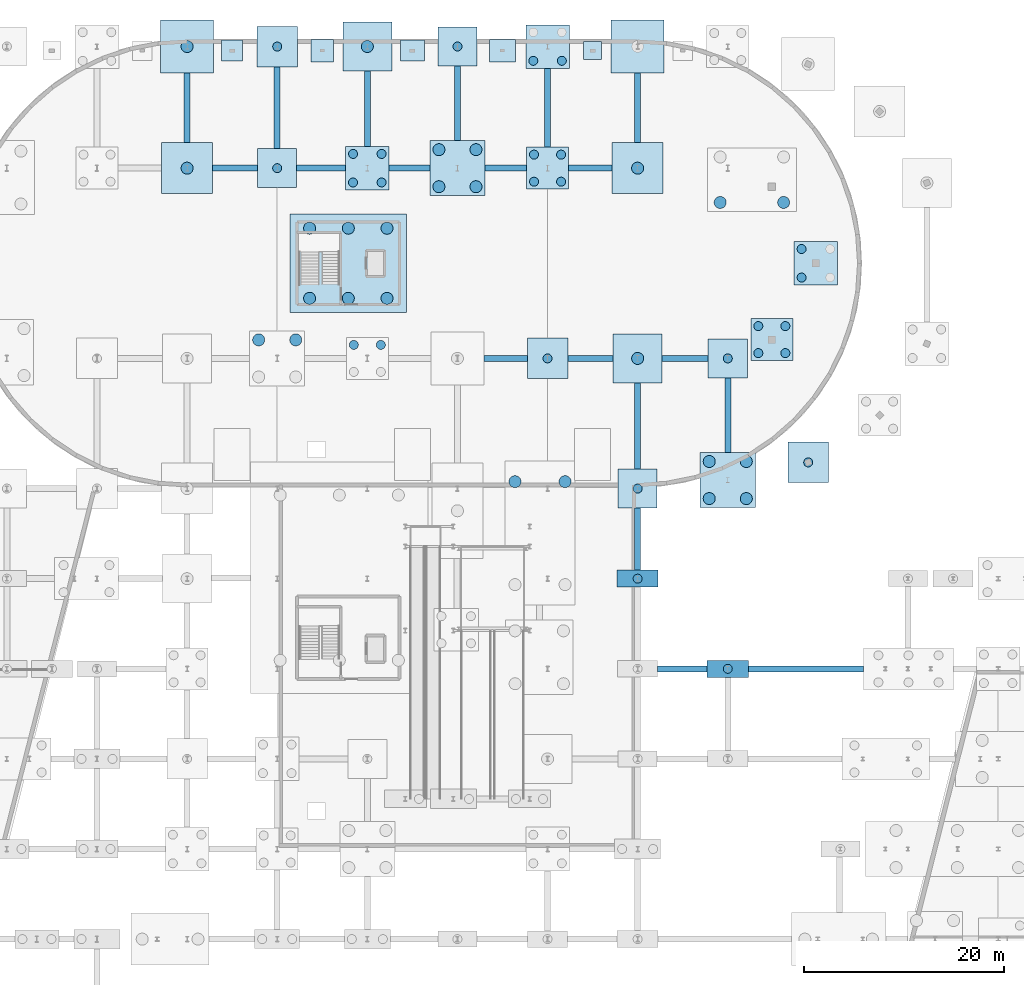
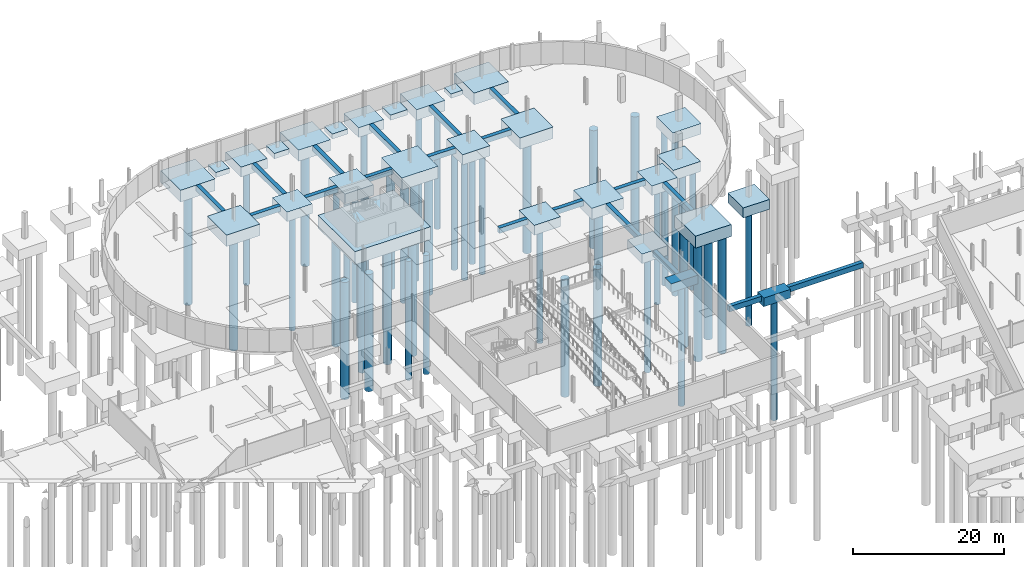
# One storey, part 6 of 42: 52 piles, 47 footings.
"""IFC4 building model written with IfcOpenShell, lengths in metres."""

from ifc_helpers import new_model, si_unit, direction, frame, origin, origin_2d, place, context, subcontext, project, spatial, rectangle, circle, extrude, material, material_profile, profile_set, type_object, element, save


model = new_model("IFC4")

# Units and contexts
model_context = context("Model", 3, precision=1e-05, world=origin(), true_north=direction((0.0, 1.0)))
body_context = subcontext(model_context, "Body", "Model", "MODEL_VIEW")
ifc_project = project(units=[si_unit("LENGTHUNIT", "METRE"), si_unit("AREAUNIT", "SQUARE_METRE"), si_unit("VOLUMEUNIT", "CUBIC_METRE"), si_unit("PLANEANGLEUNIT", "RADIAN"), si_unit("MASSUNIT", "GRAM", prefix="KILO")], contexts=[model_context])

# Site, building, storey
site_placement = place(None, origin())
site = spatial("IfcSite", under=ifc_project, at=site_placement, CompositionType="ELEMENT")
building_placement = place(site_placement, origin())
building = spatial("IfcBuilding", under=site, at=building_placement, Name="Deido Ridge Mobility Hub", CompositionType="ELEMENT")
storey_placement = place(building_placement, frame((0.0, 0.0, -4.199951171875)))
storey = spatial("IfcBuildingStorey", under=building, at=storey_placement, Name="B1", CompositionType="ELEMENT", Elevation=-4.199951171875)

# Footings
ifc_material = material(Name="Concrete C40/50", Category="concrete")
footing_type_1 = type_object("IfcFootingType", Name="FTG-PC-3900X3900X1550", PredefinedType="PILE_CAP", material=ifc_material)
for number, where, z_axis, x_axis, name in (
    (1, (108.0, 81.0, -1.55029296875), (0.0, 0.0, 1.0), (1.0, 0.0, 0.0), "Pile cap PC12"),
    (2, (72.0, 113.0, -1.55029296875), (0.0, 0.0, 1.0), (1.0, 0.0, 0.0), "Pile cap PC12"),
    (3, (90.0, 125.14990234375, -1.55029296875), (0.0, 0.0, 1.0), (1.0, 0.0, 0.0), "Pile cap PC12"),
    (4, (117.0, 94.0, -1.55029296875), (0.0, 0.0, 1.0), (1.0, 0.0, 0.0), "Pile cap PC12"),
):
    element("IfcFooting", number, at=place(storey_placement, frame(where, z_axis=z_axis, x_axis=x_axis)), inside=storey, type_object=footing_type_1, Name=name, PredefinedType="PILE_CAP", context=body_context, shape_type="SweptSolid", body=[
        extrude(rectangle(XDim=3.89990234375, YDim=3.89990234375, at=origin_2d()), origin(), (0.0, 0.0, 1.0), 1.550048828125),
    ])
footing_type_2 = type_object("IfcFootingType", Name="FTG-PC-4050X4050X1600", PredefinedType="PILE_CAP", material=ifc_material)
for number, where, z_axis, x_axis, name in (
    (5, (72.0, 125.14990234375, -1.60009765625), (0.0, 0.0, 1.0), (1.0, 0.0, 0.0), "Pile cap PC13"),
    (6, (99.0, 94.0, -1.60009765625), (0.0, 0.0, 1.0), (1.0, 0.0, 0.0), "Pile cap PC13"),
    (7, (125.035400390625, 83.61181640625, -1.60009765625), (0.0, 0.0, 1.0), (1.0, 0.0, 0.0), "Pile cap PC13"),
):
    element("IfcFooting", number, at=place(storey_placement, frame(where, z_axis=z_axis, x_axis=x_axis)), inside=storey, type_object=footing_type_2, Name=name, PredefinedType="PILE_CAP", context=body_context, shape_type="SweptSolid", body=[
        extrude(rectangle(XDim=4.050048828125, YDim=4.050048828125, at=origin_2d()), origin(), (0.0, 0.0, 1.0), 1.60009765625),
    ])
footing_type_3 = type_object("IfcFootingType", Name="FTG-PC-4100X1700X1400", PredefinedType="PILE_CAP", material=ifc_material)
for number, where, z_axis, x_axis, name in (
    (8, (108.0, 72.0, -1.39990234375), (0.0, 0.0, 1.0), (1.0, 0.0, 0.0), "Pile cap PC3"),
    (9, (117.0, 63.0, -1.39990234375), (0.0, 0.0, 1.0), (1.0, 0.0, 0.0), "Pile cap PC3"),
):
    element("IfcFooting", number, at=place(storey_placement, frame(where, z_axis=z_axis, x_axis=x_axis)), inside=storey, type_object=footing_type_3, Name=name, PredefinedType="PILE_CAP", context=body_context, shape_type="SweptSolid", body=[
        extrude(rectangle(XDim=4.10009765625, YDim=1.699951171875, at=origin_2d()), origin(), (0.0, 0.0, 1.0), 1.39990234375),
    ])
footing_type_4 = type_object("IfcFootingType", Name="FTG-PC-4200X4200X1650", PredefinedType="PILE_CAP", material=ifc_material)
for number, where, z_axis, x_axis, name in (
    (10, (99.0, 113.0, -1.64990234375), (0.0, 0.0, 1.0), (1.0, 0.0, 0.0), "Pile cap PC14"),
    (11, (121.39990234375, 95.87890625, -1.64990234375), (0.0, 0.0, 1.0), (1.0, 0.0, 0.0), "Pile cap PC14"),
):
    element("IfcFooting", number, at=place(storey_placement, frame(where, z_axis=z_axis, x_axis=x_axis)), inside=storey, type_object=footing_type_4, Name=name, PredefinedType="PILE_CAP", context=body_context, shape_type="SweptSolid", body=[
        extrude(rectangle(XDim=4.199951171875, YDim=4.199951171875, at=origin_2d()), origin(), (0.0, 0.0, 1.0), 1.64990234375),
    ])
footing_type_5 = type_object("IfcFootingType", Name="FTG-PC-4350X4350X1700", PredefinedType="PILE_CAP", material=ifc_material)
for number, where, z_axis, x_axis, name in (
    (12, (81.0, 113.0, -1.7001953125), (0.0, 0.0, 1.0), (1.0, 0.0, 0.0), "Pile cap PC15"),
    (13, (99.0, 125.14990234375, -1.7001953125), (0.0, 0.0, 1.0), (1.0, 0.0, 0.0), "Pile cap PC15"),
    (14, (125.800048828125, 103.5, -1.7001953125), (0.0, 0.0, 1.0), (1.0, 0.0, 0.0), "Pile cap PC15"),
):
    element("IfcFooting", number, at=place(storey_placement, frame(where, z_axis=z_axis, x_axis=x_axis)), inside=storey, type_object=footing_type_5, Name=name, PredefinedType="PILE_CAP", context=body_context, shape_type="SweptSolid", body=[
        extrude(rectangle(XDim=4.35009765625, YDim=4.35009765625, at=origin_2d()), origin(), (0.0, 0.0, 1.0), 1.699951171875),
    ])
footing_type_6 = type_object("IfcFootingType", Name="FTG-PC-4900X4900X1800", PredefinedType="PILE_CAP", material=ifc_material)
for number, where, z_axis, x_axis, name in (
    (15, (81.0, 125.14990234375, -1.80029296875), (0.0, 0.0, 1.0), (1.0, 0.0, 0.0), "Pile cap PC17"),
    (16, (108.0, 94.0, -1.80029296875), (0.0, 0.0, 1.0), (1.0, 0.0, 0.0), "Pile cap PC17"),
):
    element("IfcFooting", number, at=place(storey_placement, frame(where, z_axis=z_axis, x_axis=x_axis)), inside=storey, type_object=footing_type_6, Name=name, PredefinedType="PILE_CAP", context=body_context, shape_type="SweptSolid", body=[
        extrude(rectangle(XDim=4.89990234375, YDim=4.89990234375, at=origin_2d()), origin(), (0.0, 0.0, 1.0), 1.800048828125),
    ])
footing_type_7 = type_object("IfcFootingType", Name="FTG-PC-5100X5100X1850", PredefinedType="PILE_CAP", material=ifc_material)
for number, where, z_axis, x_axis, name in (
    (17, (63.0, 113.0, -1.85009765625), (0.0, 0.0, 1.0), (1.0, 0.0, 0.0), "Pile cap PC22"),
    (18, (108.0, 113.0, -1.85009765625), (0.0, 0.0, 1.0), (1.0, 0.0, 0.0), "Pile cap PC22"),
):
    element("IfcFooting", number, at=place(storey_placement, frame(where, z_axis=z_axis, x_axis=x_axis)), inside=storey, type_object=footing_type_7, Name=name, PredefinedType="PILE_CAP", context=body_context, shape_type="SweptSolid", body=[
        extrude(rectangle(XDim=5.10009765625, YDim=5.10009765625, at=origin_2d()), origin(), (0.0, 0.0, 1.0), 1.85009765625),
    ])
footing_type_8 = type_object("IfcFootingType", Name="FTG-PC-5300X5300X1900", PredefinedType="PILE_CAP", material=ifc_material)
for number, where, z_axis, x_axis, name in (
    (19, (63.0, 125.14990234375, -1.89990234375), (0.0, 0.0, 1.0), (1.0, 0.0, 0.0), "Pile cap PC25"),
    (20, (108.0, 125.14990234375, -1.89990234375), (0.0, 0.0, 1.0), (1.0, 0.0, 0.0), "Pile cap PC25"),
):
    element("IfcFooting", number, at=place(storey_placement, frame(where, z_axis=z_axis, x_axis=x_axis)), inside=storey, type_object=footing_type_8, Name=name, PredefinedType="PILE_CAP", context=body_context, shape_type="SweptSolid", body=[
        extrude(rectangle(XDim=5.300048828125, YDim=5.300048828125, at=origin_2d()), origin(), (0.0, 0.0, 1.0), 1.89990234375),
    ])
footing_type_9 = type_object("IfcFootingType", Name="FTG-PC-5500X5500X1950", PredefinedType="PILE_CAP", material=ifc_material)
for number, where, z_axis, x_axis, name in (
    (21, (90.0, 113.0, -1.9501953125), (0.0, 0.0, 1.0), (1.0, 0.0, 0.0), "Pile cap PC16"),
    (22, (117.0, 81.85009765625, -1.9501953125), (0.0, 0.0, 1.0), (1.0, 0.0, 0.0), "Pile cap PC16"),
):
    element("IfcFooting", number, at=place(storey_placement, frame(where, z_axis=z_axis, x_axis=x_axis)), inside=storey, type_object=footing_type_9, Name=name, PredefinedType="PILE_CAP", context=body_context, shape_type="SweptSolid", body=[
        extrude(rectangle(XDim=5.5, YDim=5.5, at=origin_2d()), origin(), (0.0, 0.0, 1.0), 1.949951171875),
    ])
footing_type_10 = type_object("IfcFootingType", Name="FTG-PC-C5", PredefinedType="PILE_CAP", material=ifc_material)
footing_1_placement = place(storey_placement, frame((79.10009765625, 103.5, -2.10009765625), z_axis=(0.0, 0.0, 1.0), x_axis=(1.0, 0.0, 0.0)))
element("IfcFooting", 23, at=footing_1_placement, inside=storey, type_object=footing_type_10, Name="Pile cap PC-C5", PredefinedType="PILE_CAP", context=body_context, shape_type="SweptSolid", body=[
    extrude(rectangle(XDim=11.60009765625, YDim=9.800048828125, at=origin_2d()), origin(), (0.0, 0.0, 1.0), 2.10009765625),
])
footing_type_11 = type_object("IfcFootingType", Name="FTG-PF-1800X1800X700", PredefinedType="PAD_FOOTING", material=ifc_material)
footing_2_placement = place(storey_placement, frame((103.5, 124.75, -0.7001953125), z_axis=(0.0, 0.0, 1.0), x_axis=(1.0, 0.0, 0.0)))
element("IfcFooting", 24, at=footing_2_placement, inside=storey, type_object=footing_type_11, Name="Pad footing PF42", PredefinedType="PAD_FOOTING", context=body_context, shape_type="SweptSolid", body=[
    extrude(rectangle(XDim=1.800048828125, YDim=1.800048828125, at=origin_2d()), origin(), (0.0, 0.0, 1.0), 0.699951171875),
])
footing_type_12 = type_object("IfcFootingType", Name="FTG-PF-2100X2100X800", PredefinedType="PAD_FOOTING", material=ifc_material)
footing_3_placement = place(storey_placement, frame((67.5, 124.75, -0.80029296875), z_axis=(0.0, 0.0, 1.0), x_axis=(1.0, 0.0, 0.0)))
element("IfcFooting", 25, at=footing_3_placement, inside=storey, type_object=footing_type_12, Name="Pad footing PF44", PredefinedType="PAD_FOOTING", context=body_context, shape_type="SweptSolid", body=[
    extrude(rectangle(XDim=2.10009765625, YDim=2.10009765625, at=origin_2d()), origin(), (0.0, 0.0, 1.0), 0.800048828125),
])
footing_type_13 = type_object("IfcFootingType", Name="FTG-PF-2250X2250X850", PredefinedType="PAD_FOOTING", material=ifc_material)
footing_4_placement = place(storey_placement, frame((76.5, 124.75, -0.85009765625), z_axis=(0.0, 0.0, 1.0), x_axis=(1.0, 0.0, 0.0)))
element("IfcFooting", 26, at=footing_4_placement, inside=storey, type_object=footing_type_13, Name="Pad footing PF45", PredefinedType="PAD_FOOTING", context=body_context, shape_type="SweptSolid", body=[
    extrude(rectangle(XDim=2.25, YDim=2.25, at=origin_2d()), origin(), (0.0, 0.0, 1.0), 0.85009765625),
])
footing_type_14 = type_object("IfcFootingType", Name="FTG-PF-2400X2100X800", PredefinedType="PAD_FOOTING", material=ifc_material)
footing_5_placement = place(storey_placement, frame((85.5, 124.75, -0.80029296875), z_axis=(0.0, 0.0, 1.0), x_axis=(1.0, 0.0, 0.0)))
element("IfcFooting", 27, at=footing_5_placement, inside=storey, type_object=footing_type_14, Name="Pad footing PF46", PredefinedType="PAD_FOOTING", context=body_context, shape_type="SweptSolid", body=[
    extrude(rectangle(XDim=2.39990234375, YDim=2.10009765625, at=origin_2d()), origin(), (0.0, 0.0, 1.0), 0.800048828125),
])
footing_type_15 = type_object("IfcFootingType", Name="FTG-PF-2550X2250X850", PredefinedType="PAD_FOOTING", material=ifc_material)
footing_6_placement = place(storey_placement, frame((94.5, 124.75, -0.85009765625), z_axis=(0.0, 0.0, 1.0), x_axis=(1.0, 0.0, 0.0)))
element("IfcFooting", 28, at=footing_6_placement, inside=storey, type_object=footing_type_15, Name="Pad footing PF47", PredefinedType="PAD_FOOTING", context=body_context, shape_type="SweptSolid", body=[
    extrude(rectangle(XDim=2.550048828125, YDim=2.25, at=origin_2d()), origin(), (0.0, 0.0, 1.0), 0.85009765625),
])
ifc_material_profile_1 = material_profile(ifc_material, rectangle(XDim=0.60009765625, YDim=0.85009765625, at=origin_2d()), Name="RC GB 600x850")
ifc_profile_set_1 = profile_set([ifc_material_profile_1], Name="Concrete C40/50")
footing_type_16 = type_object("IfcFootingType", Name="GB-RC600X850", PredefinedType="FOOTING_BEAM", material=ifc_profile_set_1)
footing_7_placement = place(storey_placement, frame((110.0, 63.0, -0.425048828125), z_axis=(1.0, 0.0, 0.0), x_axis=(0.0, 1.0, 0.0)))
element("IfcFooting", 29, at=footing_7_placement, inside=storey, type_object=footing_type_16, Name="Ground beam GB1", PredefinedType="FOOTING_BEAM", context=body_context, shape_type="SweptSolid", body=[
    extrude(rectangle(XDim=0.60009765625, YDim=0.85009765625, at=origin_2d()), origin(), (0.0, 0.0, 1.0), 4.949951171875),
])
footing_8_placement = place(storey_placement, frame((119.050048828125, 63.0, -0.425048828125), z_axis=(1.0, 0.0, 0.0), x_axis=(0.0, 1.0, 0.0)))
element("IfcFooting", 30, at=footing_8_placement, inside=storey, type_object=footing_type_16, Name="Ground beam GB1", PredefinedType="FOOTING_BEAM", context=body_context, shape_type="SweptSolid", body=[
    extrude(rectangle(XDim=0.60009765625, YDim=0.85009765625, at=origin_2d()), origin(), (0.0, 0.0, 1.0), 11.5),
])
footing_9_placement = place(storey_placement, frame((92.64990234375, 94.0, -0.425048828125), z_axis=(1.0, 0.0, 0.0), x_axis=(0.0, 1.0, 0.0)))
element("IfcFooting", 31, at=footing_9_placement, inside=storey, type_object=footing_type_16, Name="Ground beam GB1", PredefinedType="FOOTING_BEAM", context=body_context, shape_type="SweptSolid", body=[
    extrude(rectangle(XDim=0.60009765625, YDim=0.85009765625, at=origin_2d()), origin(), (0.0, 0.0, 1.0), 4.3251953125),
])
footing_10_placement = place(storey_placement, frame((101.02490234375, 94.0, -0.425048828125), z_axis=(1.0, 0.0, 0.0), x_axis=(0.0, 1.0, 0.0)))
element("IfcFooting", 32, at=footing_10_placement, inside=storey, type_object=footing_type_16, Name="Ground beam GB1", PredefinedType="FOOTING_BEAM", context=body_context, shape_type="SweptSolid", body=[
    extrude(rectangle(XDim=0.60009765625, YDim=0.85009765625, at=origin_2d()), origin(), (0.0, 0.0, 1.0), 4.525146484375),
])
footing_11_placement = place(storey_placement, frame((110.449951171875, 94.0, -0.425048828125), z_axis=(1.0, 0.0, 0.0), x_axis=(0.0, 1.0, 0.0)))
element("IfcFooting", 33, at=footing_11_placement, inside=storey, type_object=footing_type_16, Name="Ground beam GB1", PredefinedType="FOOTING_BEAM", context=body_context, shape_type="SweptSolid", body=[
    extrude(rectangle(XDim=0.60009765625, YDim=0.85009765625, at=origin_2d()), origin(), (0.0, 0.0, 1.0), 4.60009765625),
])
footing_12_placement = place(storey_placement, frame((65.550048828125, 113.0, -0.425048828125), z_axis=(1.0, 0.0, 0.0), x_axis=(0.0, 1.0, 0.0)))
element("IfcFooting", 34, at=footing_12_placement, inside=storey, type_object=footing_type_16, Name="Ground beam GB1", PredefinedType="FOOTING_BEAM", context=body_context, shape_type="SweptSolid", body=[
    extrude(rectangle(XDim=0.60009765625, YDim=0.85009765625, at=origin_2d()), origin(), (0.0, 0.0, 1.0), 4.5),
])
footing_13_placement = place(storey_placement, frame((73.949951171875, 113.0, -0.425048828125), z_axis=(1.0, 0.0, 0.0), x_axis=(0.0, 1.0, 0.0)))
element("IfcFooting", 35, at=footing_13_placement, inside=storey, type_object=footing_type_16, Name="Ground beam GB1", PredefinedType="FOOTING_BEAM", context=body_context, shape_type="SweptSolid", body=[
    extrude(rectangle(XDim=0.60009765625, YDim=0.85009765625, at=origin_2d()), origin(), (0.0, 0.0, 1.0), 4.875),
])
footing_14_placement = place(storey_placement, frame((83.175048828125, 113.0, -0.425048828125), z_axis=(1.0, 0.0, 0.0), x_axis=(0.0, 1.0, 0.0)))
element("IfcFooting", 36, at=footing_14_placement, inside=storey, type_object=footing_type_16, Name="Ground beam GB1", PredefinedType="FOOTING_BEAM", context=body_context, shape_type="SweptSolid", body=[
    extrude(rectangle(XDim=0.60009765625, YDim=0.85009765625, at=origin_2d()), origin(), (0.0, 0.0, 1.0), 4.074951171875),
])
footing_15_placement = place(storey_placement, frame((92.75, 113.0, -0.425048828125), z_axis=(1.0, 0.0, 0.0), x_axis=(0.0, 1.0, 0.0)))
element("IfcFooting", 37, at=footing_15_placement, inside=storey, type_object=footing_type_16, Name="Ground beam GB1", PredefinedType="FOOTING_BEAM", context=body_context, shape_type="SweptSolid", body=[
    extrude(rectangle(XDim=0.60009765625, YDim=0.85009765625, at=origin_2d()), origin(), (0.0, 0.0, 1.0), 4.14990234375),
])
footing_16_placement = place(storey_placement, frame((101.10009765625, 113.0, -0.425048828125), z_axis=(1.0, 0.0, 0.0), x_axis=(0.0, 1.0, 0.0)))
element("IfcFooting", 38, at=footing_16_placement, inside=storey, type_object=footing_type_16, Name="Ground beam GB1", PredefinedType="FOOTING_BEAM", context=body_context, shape_type="SweptSolid", body=[
    extrude(rectangle(XDim=0.60009765625, YDim=0.85009765625, at=origin_2d()), origin(), (0.0, 0.0, 1.0), 4.349853515625),
])
footing_17_placement = place(storey_placement, frame((72.0, 114.949951171875, -0.425048828125), z_axis=(0.0, 1.0, 0.0), x_axis=(-1.0, 0.0, 0.0)))
element("IfcFooting", 39, at=footing_17_placement, inside=storey, type_object=footing_type_16, Name="Ground beam GB1", PredefinedType="FOOTING_BEAM", context=body_context, shape_type="SweptSolid", body=[
    extrude(rectangle(XDim=0.60009765625, YDim=0.85009765625, at=origin_2d()), origin(), (0.0, 0.0, 1.0), 8.175048828125),
])
footing_18_placement = place(storey_placement, frame((81.0, 115.175048828125, -0.425048828125), z_axis=(0.0, 1.0, 0.0), x_axis=(-1.0, 0.0, 0.0)))
element("IfcFooting", 40, at=footing_18_placement, inside=storey, type_object=footing_type_16, Name="Ground beam GB1", PredefinedType="FOOTING_BEAM", context=body_context, shape_type="SweptSolid", body=[
    extrude(rectangle(XDim=0.60009765625, YDim=0.85009765625, at=origin_2d()), origin(), (0.0, 0.0, 1.0), 7.52490234375),
])
footing_19_placement = place(storey_placement, frame((99.0, 115.10009765625, -0.425048828125), z_axis=(0.0, 1.0, 0.0), x_axis=(-1.0, 0.0, 0.0)))
element("IfcFooting", 41, at=footing_19_placement, inside=storey, type_object=footing_type_16, Name="Ground beam GB1", PredefinedType="FOOTING_BEAM", context=body_context, shape_type="SweptSolid", body=[
    extrude(rectangle(XDim=0.60009765625, YDim=0.85009765625, at=origin_2d()), origin(), (0.0, 0.0, 1.0), 7.875),
])
footing_20_placement = place(storey_placement, frame((108.0, 72.85009765625, -0.425048828125), z_axis=(0.0, 1.0, 0.0), x_axis=(-1.0, 0.0, 0.0)))
element("IfcFooting", 42, at=footing_20_placement, inside=storey, type_object=footing_type_16, Name="Ground beam GB1", PredefinedType="FOOTING_BEAM", context=body_context, shape_type="SweptSolid", body=[
    extrude(rectangle(XDim=0.60009765625, YDim=0.85009765625, at=origin_2d()), origin(), (0.0, 0.0, 1.0), 6.199951171875),
])
footing_21_placement = place(storey_placement, frame((108.0, 82.949951171875, -0.425048828125), z_axis=(0.0, 1.0, 0.0), x_axis=(-1.0, 0.0, 0.0)))
element("IfcFooting", 43, at=footing_21_placement, inside=storey, type_object=footing_type_16, Name="Ground beam GB1", PredefinedType="FOOTING_BEAM", context=body_context, shape_type="SweptSolid", body=[
    extrude(rectangle(XDim=0.60009765625, YDim=0.85009765625, at=origin_2d()), origin(), (0.0, 0.0, 1.0), 8.60009765625),
])
footing_22_placement = place(storey_placement, frame((108.0, 115.550048828125, -0.425048828125), z_axis=(0.0, 1.0, 0.0), x_axis=(-1.0, 0.0, 0.0)))
element("IfcFooting", 44, at=footing_22_placement, inside=storey, type_object=footing_type_16, Name="Ground beam GB1", PredefinedType="FOOTING_BEAM", context=body_context, shape_type="SweptSolid", body=[
    extrude(rectangle(XDim=0.60009765625, YDim=0.85009765625, at=origin_2d()), origin(), (0.0, 0.0, 1.0), 6.949951171875),
])
footing_23_placement = place(storey_placement, frame((90.0, 115.75, -0.425048828125), z_axis=(0.0, 1.0, 0.0), x_axis=(-1.0, 0.0, 0.0)))
element("IfcFooting", 45, at=footing_23_placement, inside=storey, type_object=footing_type_16, Name="Ground beam GB1", PredefinedType="FOOTING_BEAM", context=body_context, shape_type="SweptSolid", body=[
    extrude(rectangle(XDim=0.60009765625, YDim=0.85009765625, at=origin_2d()), origin(), (0.0, 0.0, 1.0), 7.449951171875),
])
footing_24_placement = place(storey_placement, frame((63.0, 115.550048828125, -0.425048828125), z_axis=(0.0, 1.0, 0.0), x_axis=(-1.0, 0.0, 0.0)))
element("IfcFooting", 46, at=footing_24_placement, inside=storey, type_object=footing_type_16, Name="Ground beam GB1", PredefinedType="FOOTING_BEAM", context=body_context, shape_type="SweptSolid", body=[
    extrude(rectangle(XDim=0.60009765625, YDim=0.85009765625, at=origin_2d()), origin(), (0.0, 0.0, 1.0), 6.949951171875),
])
footing_25_placement = place(storey_placement, frame((117.0, 84.60009765625, -0.425048828125), z_axis=(0.0, 1.0, 0.0), x_axis=(-1.0, 0.0, 0.0)))
element("IfcFooting", 47, at=footing_25_placement, inside=storey, type_object=footing_type_16, Name="Ground beam GB1", PredefinedType="FOOTING_BEAM", context=body_context, shape_type="SweptSolid", body=[
    extrude(rectangle(XDim=0.60009765625, YDim=0.85009765625, at=origin_2d()), origin(), (0.0, 0.0, 1.0), 7.449951171875),
])

# Piles
ifc_material_profile_2 = material_profile(ifc_material, circle(Radius=0.60009765625, at=origin_2d()), Name="BORED PILE D1200")
ifc_profile_set_2 = profile_set([ifc_material_profile_2], Name="Concrete C40/50")
pile_type_1 = type_object("IfcPileType", Name="PILE-BORED-D1200", PredefinedType="BORED", material=ifc_profile_set_2)
for number, where, z_axis, x_axis, name in (
    (48, (75.2333984375, 100.0, -1.949951171875), (0.0, 0.0, -1.0), (1.0, 0.0, 0.0), "Bored pile P2"),
    (49, (79.10009765625, 100.0, -1.949951171875), (0.0, 0.0, -1.0), (1.0, 0.0, 0.0), "Bored pile P2"),
    (50, (82.966796875, 100.0, -1.949951171875), (0.0, 0.0, -1.0), (1.0, 0.0, 0.0), "Bored pile P2"),
    (51, (75.2333984375, 107.0, -1.949951171875), (0.0, 0.0, -1.0), (1.0, 0.0, 0.0), "Bored pile P2"),
    (52, (79.10009765625, 107.0, -1.949951171875), (0.0, 0.0, -1.0), (1.0, 0.0, 0.0), "Bored pile P2"),
    (53, (82.966796875, 107.0, -1.949951171875), (0.0, 0.0, -1.0), (1.0, 0.0, 0.0), "Bored pile P2"),
):
    element("IfcPile", number, at=place(storey_placement, frame(where, z_axis=z_axis, x_axis=x_axis)), inside=storey, type_object=pile_type_1, Name=name, PredefinedType="BORED", context=body_context, shape_type="SweptSolid", body=[
        extrude(circle(Radius=0.60009765625, at=origin_2d()), origin(), (0.0, 0.0, 1.0), 18.85009765625),
    ])
for number, where, z_axis, x_axis, name in (
    (54, (95.75, 81.69287109375, -1.800048828125), (0.0, 0.0, -1.0), (1.0, 0.0, 0.0), "Bored pile P2"),
    (55, (100.75, 81.69287109375, -1.800048828125), (0.0, 0.0, -1.0), (1.0, 0.0, 0.0), "Bored pile P2"),
):
    element("IfcPile", number, at=place(storey_placement, frame(where, z_axis=z_axis, x_axis=x_axis)), inside=storey, type_object=pile_type_1, Name=name, PredefinedType="BORED", context=body_context, shape_type="SweptSolid", body=[
        extrude(circle(Radius=0.60009765625, at=origin_2d()), origin(), (0.0, 0.0, 1.0), 19.0),
    ])
pile_1_placement = place(storey_placement, frame((63.0, 113.0, -1.699951171875), z_axis=(0.0, 0.0, -1.0), x_axis=(1.0, 0.0, 0.0)))
element("IfcPile", 56, at=pile_1_placement, inside=storey, type_object=pile_type_1, Name="Bored pile P2", PredefinedType="BORED", context=body_context, shape_type="SweptSolid", body=[
    extrude(circle(Radius=0.60009765625, at=origin_2d()), origin(), (0.0, 0.0, 1.0), 19.10009765625),
])
pile_2_placement = place(storey_placement, frame((63.0, 125.14990234375, -1.75), z_axis=(0.0, 0.0, -1.0), x_axis=(1.0, 0.0, 0.0)))
element("IfcPile", 57, at=pile_2_placement, inside=storey, type_object=pile_type_1, Name="Bored pile P2", PredefinedType="BORED", context=body_context, shape_type="SweptSolid", body=[
    extrude(circle(Radius=0.60009765625, at=origin_2d()), origin(), (0.0, 0.0, 1.0), 19.050048828125),
])
for number, where, z_axis, x_axis, name in (
    (58, (70.14990234375, 95.85009765625, -1.800048828125), (0.0, 0.0, -1.0), (1.0, 0.0, 0.0), "Bored pile P2"),
    (59, (73.85009765625, 95.85009765625, -1.800048828125), (0.0, 0.0, -1.0), (1.0, 0.0, 0.0), "Bored pile P2"),
):
    element("IfcPile", number, at=place(storey_placement, frame(where, z_axis=z_axis, x_axis=x_axis)), inside=storey, type_object=pile_type_1, Name=name, PredefinedType="BORED", context=body_context, shape_type="SweptSolid", body=[
        extrude(circle(Radius=0.60009765625, at=origin_2d()), origin(), (0.0, 0.0, 1.0), 19.0),
    ])
pile_3_placement = place(storey_placement, frame((81.0, 125.14990234375, -1.650146484375), z_axis=(0.0, 0.0, -1.0), x_axis=(1.0, 0.0, 0.0)))
element("IfcPile", 60, at=pile_3_placement, inside=storey, type_object=pile_type_1, Name="Bored pile P2", PredefinedType="BORED", context=body_context, shape_type="SweptSolid", body=[
    extrude(circle(Radius=0.60009765625, at=origin_2d()), origin(), (0.0, 0.0, 1.0), 19.14990234375),
])
for number, where, z_axis, x_axis, name in (
    (61, (88.14990234375, 111.14990234375, -1.800048828125), (0.0, 0.0, -1.0), (1.0, 0.0, 0.0), "Bored pile P2"),
    (62, (91.85009765625, 111.14990234375, -1.800048828125), (0.0, 0.0, -1.0), (1.0, 0.0, 0.0), "Bored pile P2"),
    (63, (88.14990234375, 114.85009765625, -1.800048828125), (0.0, 0.0, -1.0), (1.0, 0.0, 0.0), "Bored pile P2"),
    (64, (91.85009765625, 114.85009765625, -1.800048828125), (0.0, 0.0, -1.0), (1.0, 0.0, 0.0), "Bored pile P2"),
):
    element("IfcPile", number, at=place(storey_placement, frame(where, z_axis=z_axis, x_axis=x_axis)), inside=storey, type_object=pile_type_1, Name=name, PredefinedType="BORED", context=body_context, shape_type="SweptSolid", body=[
        extrude(circle(Radius=0.60009765625, at=origin_2d()), origin(), (0.0, 0.0, 1.0), 19.0),
    ])
pile_4_placement = place(storey_placement, frame((108.0, 94.0, -1.650146484375), z_axis=(0.0, 0.0, -1.0), x_axis=(1.0, 0.0, 0.0)))
element("IfcPile", 65, at=pile_4_placement, inside=storey, type_object=pile_type_1, Name="Bored pile P2", PredefinedType="BORED", context=body_context, shape_type="SweptSolid", body=[
    extrude(circle(Radius=0.60009765625, at=origin_2d()), origin(), (0.0, 0.0, 1.0), 19.14990234375),
])
pile_5_placement = place(storey_placement, frame((108.0, 113.0, -1.699951171875), z_axis=(0.0, 0.0, -1.0), x_axis=(1.0, 0.0, 0.0)))
element("IfcPile", 66, at=pile_5_placement, inside=storey, type_object=pile_type_1, Name="Bored pile P2", PredefinedType="BORED", context=body_context, shape_type="SweptSolid", body=[
    extrude(circle(Radius=0.60009765625, at=origin_2d()), origin(), (0.0, 0.0, 1.0), 19.10009765625),
])
for number, where, z_axis, x_axis, name in (
    (67, (115.14990234375, 80.0, -1.800048828125), (0.0, 0.0, -1.0), (1.0, 0.0, 0.0), "Bored pile P2"),
    (68, (118.85009765625, 80.0, -1.800048828125), (0.0, 0.0, -1.0), (1.0, 0.0, 0.0), "Bored pile P2"),
    (69, (115.14990234375, 83.699951171875, -1.800048828125), (0.0, 0.0, -1.0), (1.0, 0.0, 0.0), "Bored pile P2"),
    (70, (118.85009765625, 83.699951171875, -1.800048828125), (0.0, 0.0, -1.0), (1.0, 0.0, 0.0), "Bored pile P2"),
):
    element("IfcPile", number, at=place(storey_placement, frame(where, z_axis=z_axis, x_axis=x_axis)), inside=storey, type_object=pile_type_1, Name=name, PredefinedType="BORED", context=body_context, shape_type="SweptSolid", body=[
        extrude(circle(Radius=0.60009765625, at=origin_2d()), origin(), (0.0, 0.0, 1.0), 19.0),
    ])
for number, where, z_axis, x_axis, name in (
    (71, (116.242919921875, 109.57861328125, -1.650146484375), (0.0, 0.0, -1.0), (1.0, 0.0, 0.0), "Bored pile P2"),
    (72, (122.58203125, 109.57861328125, -1.650146484375), (0.0, 0.0, -1.0), (1.0, 0.0, 0.0), "Bored pile P2"),
):
    element("IfcPile", number, at=place(storey_placement, frame(where, z_axis=z_axis, x_axis=x_axis)), inside=storey, type_object=pile_type_1, Name=name, PredefinedType="BORED", context=body_context, shape_type="SweptSolid", body=[
        extrude(circle(Radius=0.60009765625, at=origin_2d()), origin(), (0.0, 0.0, 1.0), 19.14990234375),
    ])
ifc_material_profile_3 = material_profile(ifc_material, circle(Radius=0.449951171875, at=origin_2d()), Name="BORED PILE D900")
ifc_profile_set_3 = profile_set([ifc_material_profile_3], Name="Concrete C40/50")
pile_type_2 = type_object("IfcPileType", Name="PILE-BORED-D900", PredefinedType="BORED", material=ifc_profile_set_3)
pile_6_placement = place(storey_placement, frame((108.0, 72.0, -1.25), z_axis=(0.0, 0.0, -1.0), x_axis=(1.0, 0.0, 0.0)))
element("IfcPile", 73, at=pile_6_placement, inside=storey, type_object=pile_type_2, Name="Bored pile P1", PredefinedType="BORED", context=body_context, shape_type="SweptSolid", body=[
    extrude(circle(Radius=0.449951171875, at=origin_2d()), origin(), (0.0, 0.0, 1.0), 19.550048828125),
])
pile_7_placement = place(storey_placement, frame((108.0, 81.0, -1.400146484375), z_axis=(0.0, 0.0, -1.0), x_axis=(1.0, 0.0, 0.0)))
element("IfcPile", 74, at=pile_7_placement, inside=storey, type_object=pile_type_2, Name="Bored pile P1", PredefinedType="BORED", context=body_context, shape_type="SweptSolid", body=[
    extrude(circle(Radius=0.449951171875, at=origin_2d()), origin(), (0.0, 0.0, 1.0), 19.39990234375),
])
pile_8_placement = place(storey_placement, frame((117.0, 63.0, -1.25), z_axis=(0.0, 0.0, -1.0), x_axis=(1.0, 0.0, 0.0)))
element("IfcPile", 75, at=pile_8_placement, inside=storey, type_object=pile_type_2, Name="Bored pile P1", PredefinedType="BORED", context=body_context, shape_type="SweptSolid", body=[
    extrude(circle(Radius=0.449951171875, at=origin_2d()), origin(), (0.0, 0.0, 1.0), 19.550048828125),
])
pile_9_placement = place(storey_placement, frame((72.0, 113.0, -1.400146484375), z_axis=(0.0, 0.0, -1.0), x_axis=(1.0, 0.0, 0.0)))
element("IfcPile", 76, at=pile_9_placement, inside=storey, type_object=pile_type_2, Name="Bored pile P1", PredefinedType="BORED", context=body_context, shape_type="SweptSolid", body=[
    extrude(circle(Radius=0.449951171875, at=origin_2d()), origin(), (0.0, 0.0, 1.0), 19.39990234375),
])
pile_10_placement = place(storey_placement, frame((72.0, 125.14990234375, -1.449951171875), z_axis=(0.0, 0.0, -1.0), x_axis=(1.0, 0.0, 0.0)))
element("IfcPile", 77, at=pile_10_placement, inside=storey, type_object=pile_type_2, Name="Bored pile P1", PredefinedType="BORED", context=body_context, shape_type="SweptSolid", body=[
    extrude(circle(Radius=0.449951171875, at=origin_2d()), origin(), (0.0, 0.0, 1.0), 19.35009765625),
])
for number, where, z_axis, x_axis, name in (
    (78, (79.64990234375, 95.35009765625, -1.5), (0.0, 0.0, -1.0), (1.0, 0.0, 0.0), "Bored pile P1"),
    (79, (82.35009765625, 95.35009765625, -1.5), (0.0, 0.0, -1.0), (1.0, 0.0, 0.0), "Bored pile P1"),
):
    element("IfcPile", number, at=place(storey_placement, frame(where, z_axis=z_axis, x_axis=x_axis)), inside=storey, type_object=pile_type_2, Name=name, PredefinedType="BORED", context=body_context, shape_type="SweptSolid", body=[
        extrude(circle(Radius=0.449951171875, at=origin_2d()), origin(), (0.0, 0.0, 1.0), 19.300048828125),
    ])
for number, where, z_axis, x_axis, name in (
    (80, (79.574951171875, 111.574951171875, -1.550048828125), (0.0, 0.0, -1.0), (1.0, 0.0, 0.0), "Bored pile P1"),
    (81, (82.425048828125, 111.574951171875, -1.550048828125), (0.0, 0.0, -1.0), (1.0, 0.0, 0.0), "Bored pile P1"),
    (82, (79.574951171875, 114.425048828125, -1.550048828125), (0.0, 0.0, -1.0), (1.0, 0.0, 0.0), "Bored pile P1"),
    (83, (82.425048828125, 114.425048828125, -1.550048828125), (0.0, 0.0, -1.0), (1.0, 0.0, 0.0), "Bored pile P1"),
):
    element("IfcPile", number, at=place(storey_placement, frame(where, z_axis=z_axis, x_axis=x_axis)), inside=storey, type_object=pile_type_2, Name=name, PredefinedType="BORED", context=body_context, shape_type="SweptSolid", body=[
        extrude(circle(Radius=0.449951171875, at=origin_2d()), origin(), (0.0, 0.0, 1.0), 19.25),
    ])
pile_11_placement = place(storey_placement, frame((90.0, 125.14990234375, -1.400146484375), z_axis=(0.0, 0.0, -1.0), x_axis=(1.0, 0.0, 0.0)))
element("IfcPile", 84, at=pile_11_placement, inside=storey, type_object=pile_type_2, Name="Bored pile P1", PredefinedType="BORED", context=body_context, shape_type="SweptSolid", body=[
    extrude(circle(Radius=0.449951171875, at=origin_2d()), origin(), (0.0, 0.0, 1.0), 19.39990234375),
])
pile_12_placement = place(storey_placement, frame((99.0, 94.0, -1.449951171875), z_axis=(0.0, 0.0, -1.0), x_axis=(1.0, 0.0, 0.0)))
element("IfcPile", 85, at=pile_12_placement, inside=storey, type_object=pile_type_2, Name="Bored pile P1", PredefinedType="BORED", context=body_context, shape_type="SweptSolid", body=[
    extrude(circle(Radius=0.449951171875, at=origin_2d()), origin(), (0.0, 0.0, 1.0), 19.35009765625),
])
for number, where, z_axis, x_axis, name in (
    (86, (97.64990234375, 111.64990234375, -1.5), (0.0, 0.0, -1.0), (1.0, 0.0, 0.0), "Bored pile P1"),
    (87, (100.35009765625, 111.64990234375, -1.5), (0.0, 0.0, -1.0), (1.0, 0.0, 0.0), "Bored pile P1"),
    (88, (97.64990234375, 114.35009765625, -1.5), (0.0, 0.0, -1.0), (1.0, 0.0, 0.0), "Bored pile P1"),
    (89, (100.35009765625, 114.35009765625, -1.5), (0.0, 0.0, -1.0), (1.0, 0.0, 0.0), "Bored pile P1"),
):
    element("IfcPile", number, at=place(storey_placement, frame(where, z_axis=z_axis, x_axis=x_axis)), inside=storey, type_object=pile_type_2, Name=name, PredefinedType="BORED", context=body_context, shape_type="SweptSolid", body=[
        extrude(circle(Radius=0.449951171875, at=origin_2d()), origin(), (0.0, 0.0, 1.0), 19.300048828125),
    ])
for number, where, z_axis, x_axis, name in (
    (90, (97.574951171875, 123.72509765625, -1.550048828125), (0.0, 0.0, -1.0), (1.0, 0.0, 0.0), "Bored pile P1"),
    (91, (100.425048828125, 123.72509765625, -1.550048828125), (0.0, 0.0, -1.0), (1.0, 0.0, 0.0), "Bored pile P1"),
):
    element("IfcPile", number, at=place(storey_placement, frame(where, z_axis=z_axis, x_axis=x_axis)), inside=storey, type_object=pile_type_2, Name=name, PredefinedType="BORED", context=body_context, shape_type="SweptSolid", body=[
        extrude(circle(Radius=0.449951171875, at=origin_2d()), origin(), (0.0, 0.0, 1.0), 19.25),
    ])
pile_13_placement = place(storey_placement, frame((117.0, 94.0, -1.400146484375), z_axis=(0.0, 0.0, -1.0), x_axis=(1.0, 0.0, 0.0)))
element("IfcPile", 92, at=pile_13_placement, inside=storey, type_object=pile_type_2, Name="Bored pile P1", PredefinedType="BORED", context=body_context, shape_type="SweptSolid", body=[
    extrude(circle(Radius=0.449951171875, at=origin_2d()), origin(), (0.0, 0.0, 1.0), 19.39990234375),
])
pile_14_placement = place(storey_placement, frame((125.035400390625, 83.61181640625, -1.449951171875), z_axis=(0.0, 0.0, -1.0), x_axis=(1.0, 0.0, 0.0)))
element("IfcPile", 93, at=pile_14_placement, inside=storey, type_object=pile_type_2, Name="Bored pile P1", PredefinedType="BORED", context=body_context, shape_type="SweptSolid", body=[
    extrude(circle(Radius=0.449951171875, at=origin_2d()), origin(), (0.0, 0.0, 1.0), 19.35009765625),
])
for number, where, z_axis, x_axis, name in (
    (94, (120.050048828125, 94.529052734375, -1.5), (0.0, 0.0, -1.0), (1.0, 0.0, 0.0), "Bored pile P1"),
    (95, (122.75, 94.529052734375, -1.5), (0.0, 0.0, -1.0), (1.0, 0.0, 0.0), "Bored pile P1"),
    (96, (120.050048828125, 97.22900390625, -1.5), (0.0, 0.0, -1.0), (1.0, 0.0, 0.0), "Bored pile P1"),
    (97, (122.75, 97.22900390625, -1.5), (0.0, 0.0, -1.0), (1.0, 0.0, 0.0), "Bored pile P1"),
):
    element("IfcPile", number, at=place(storey_placement, frame(where, z_axis=z_axis, x_axis=x_axis)), inside=storey, type_object=pile_type_2, Name=name, PredefinedType="BORED", context=body_context, shape_type="SweptSolid", body=[
        extrude(circle(Radius=0.449951171875, at=origin_2d()), origin(), (0.0, 0.0, 1.0), 19.300048828125),
    ])
for number, where, z_axis, x_axis, name in (
    (98, (124.375, 102.074951171875, -1.550048828125), (0.0, 0.0, -1.0), (1.0, 0.0, 0.0), "Bored pile P1"),
    (99, (124.375, 104.925048828125, -1.550048828125), (0.0, 0.0, -1.0), (1.0, 0.0, 0.0), "Bored pile P1"),
):
    element("IfcPile", number, at=place(storey_placement, frame(where, z_axis=z_axis, x_axis=x_axis)), inside=storey, type_object=pile_type_2, Name=name, PredefinedType="BORED", context=body_context, shape_type="SweptSolid", body=[
        extrude(circle(Radius=0.449951171875, at=origin_2d()), origin(), (0.0, 0.0, 1.0), 19.25),
    ])

save(model, "model.ifc")
